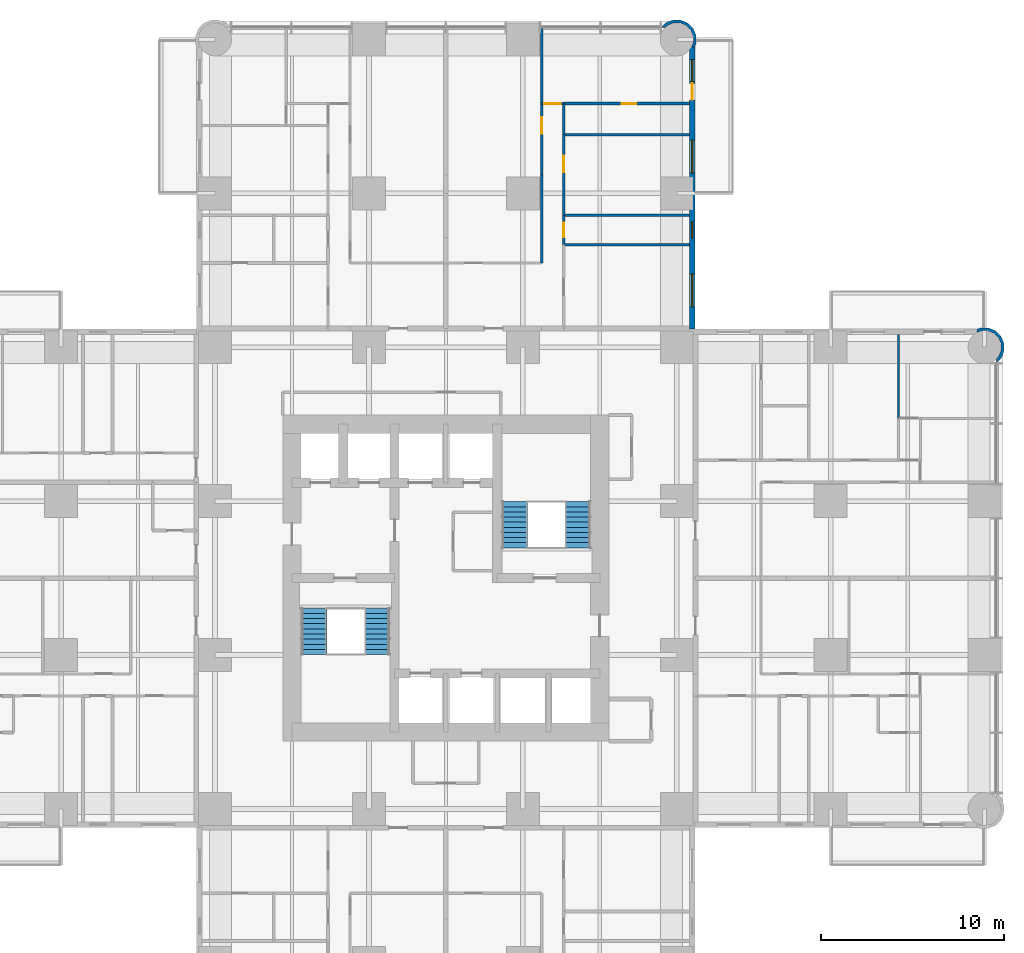
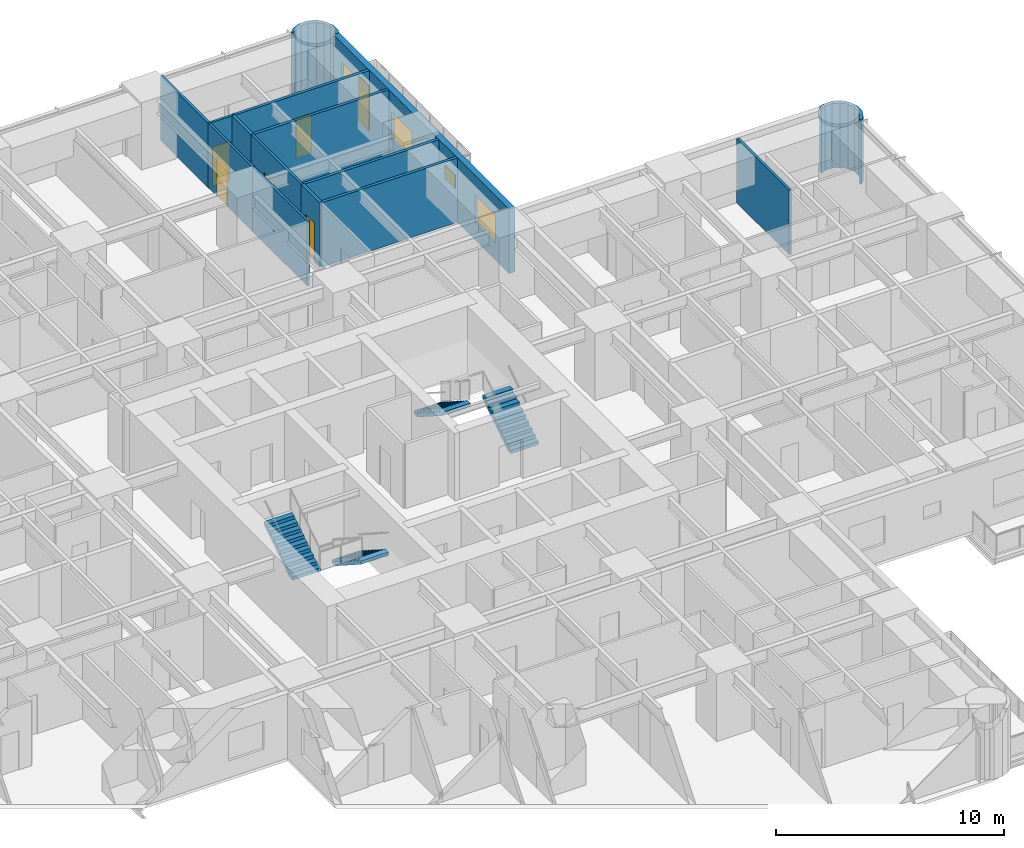
# One storey, part 15 of 17: 15 walls, 6 doors, 4 stair flights, 4 windows, 10 openings, 2 elements without a shape of their own.
"""IFC4 building model written with IfcOpenShell, lengths in metres."""

from ifc_helpers import new_model, si_unit, direction, frame, frame_2d, origin, place, context, subcontext, project, spatial, polyline, rectangle, outline, extrude, material, layer, layer_set, type_object, element, fill, aggregate, save


model = new_model("IFC4")

# Units and contexts
model_context = context("Model", 3, precision=1e-05, world=origin(), true_north=direction((0.0, 1.0)))
body_context = subcontext(model_context, "Body", "Model", "MODEL_VIEW")
ifc_project = project(units=[si_unit("LENGTHUNIT", "METRE"), si_unit("AREAUNIT", "SQUARE_METRE"), si_unit("VOLUMEUNIT", "CUBIC_METRE"), si_unit("PLANEANGLEUNIT", "RADIAN"), si_unit("MASSUNIT", "GRAM", prefix="KILO")], contexts=[model_context])

# Site, building, storey
site_placement = place(None, origin())
site = spatial("IfcSite", under=ifc_project, at=site_placement, CompositionType="ELEMENT")
building_placement = place(site_placement, origin())
building = spatial("IfcBuilding", under=site, at=building_placement, Name="Torre Alcanfor", CompositionType="ELEMENT")
storey_placement = place(building_placement, frame((0.0, 0.0, 41.699951171875)))
storey = spatial("IfcBuildingStorey", under=building, at=storey_placement, Name="L09", CompositionType="ELEMENT", Elevation=41.699951171875)

# Wall
ifc_material_1 = material(Name="Gypsum board on steel studs", Category="steel")
ifc_layer_1 = layer(ifc_material_1, 0.1201171875)
ifc_layer_set_1 = layer_set([ifc_layer_1], Name="Apartment partition 120")
wall_type_1 = type_object("IfcWallType", Name="Apartment partition 120", PredefinedType="PARTITIONING", material=ifc_layer_set_1)
wall_1_placement = place(storey_placement, frame((34.62890625, 51.39990234375, 0.0), z_axis=(0.0, 0.0, 1.0), x_axis=(0.0, -1.0, 0.0)))
element("IfcWall", 1, at=wall_1_placement, inside=storey, type_object=wall_type_1, Name="Partition L09-N2-KITCHEN / L09-N2-HALL", PredefinedType="PARTITIONING", context=body_context, shape_type="SweptSolid", body=[
    extrude(rectangle(XDim=4.7998046875, YDim=0.1201171875, at=frame_2d((2.39990234375, 0.0))), origin(), (0.0, 0.0, 1.0), 3.449951171875),
])

# Wall, opening, door
wall_2_placement = place(storey_placement, frame((34.62890625, 55.300048828125, 0.0), z_axis=(0.0, 0.0, 1.0), x_axis=(0.0, -1.0, 0.0)))
wall_2 = element("IfcWall", 2, at=wall_2_placement, inside=storey, type_object=wall_type_1, Name="Partition L09-N2-LIVING / L09-N2-HALL", PredefinedType="PARTITIONING", context=body_context, shape_type="SweptSolid", body=[
    extrude(rectangle(XDim=3.900146484375, YDim=0.1201171875, at=frame_2d((1.9501953125, 0.0))), origin(), (0.0, 0.0, 1.0), 3.449951171875),
])
opening_1_placement = place(wall_2_placement, frame((0.75, 0.0, 0.0)))
opening_1 = element("IfcOpeningElement", 3, at=opening_1_placement, cuts=wall_2, Name="Opening D-R1", PredefinedType="OPENING", context=body_context, shape_type="SweptSolid", body=[
    extrude(rectangle(XDim=0.89990234375, YDim=2.10009765625, at=frame_2d((0.449951171875, 1.050048828125))), frame((0.0, 0.070068359375, 0.0), z_axis=(0.0, -1.0, 0.0), x_axis=(1.0, 0.0, 0.0)), (0.0, 0.0, 1.0), 0.14013671875),
])
ifc_material_2 = material(Name="Timber", Category="wood")
door_type_1 = type_object("IfcDoorType", Name="Internal door 900x2100", OperationType="SINGLE_SWING_LEFT", PredefinedType="DOOR", material=ifc_material_2)
door_1_placement = place(opening_1_placement, frame((0.89990234375, 0.0, 0.0), z_axis=(0.0, 0.0, 1.0), x_axis=(-1.0, 0.0, 0.0)))
door_1 = element("IfcDoor", 4, at=door_1_placement, inside=storey, type_object=door_type_1, Name="Door L09-N2 living", OperationType="SINGLE_SWING_LEFT", OverallHeight=2.10009765625, OverallWidth=0.89990234375, PredefinedType="DOOR", context=body_context, shape_type="SweptSolid", body=[
    extrude(rectangle(XDim=0.89990234375, YDim=2.10009765625, at=frame_2d((0.449951171875, 1.050048828125))), frame((0.0, 0.025146484375, 0.0), z_axis=(0.0, -1.0, 0.0), x_axis=(1.0, 0.0, 0.0)), (0.0, 0.0, 1.0), 0.050048828125),
])
fill(opening_1, door_1)

# Wall
wall_3_placement = place(storey_placement, frame((34.62890625, 59.449951171875, 0.0), z_axis=(0.0, 0.0, 1.0), x_axis=(0.0, -1.0, 0.0)))
element("IfcWall", 5, at=wall_3_placement, inside=storey, type_object=wall_type_1, Name="Partition L09-N2-LIVING / L09-N2-MASTER", PredefinedType="PARTITIONING", context=body_context, shape_type="SweptSolid", body=[
    extrude(rectangle(XDim=4.14990234375, YDim=0.1201171875, at=frame_2d((2.074951171875, 0.0))), origin(), (0.0, 0.0, 1.0), 3.449951171875),
])

# Wall, opening, door
wall_4_placement = place(storey_placement, frame((35.8291015625, 53.60009765625, 0.0), z_axis=(0.0, 0.0, 1.0), x_axis=(0.0, -1.0, 0.0)))
wall_4 = element("IfcWall", 6, at=wall_4_placement, inside=storey, type_object=wall_type_1, Name="Partition L09-N2-HALL / L09-N2-BED2", PredefinedType="PARTITIONING", context=body_context, shape_type="SweptSolid", body=[
    extrude(rectangle(XDim=4.400146484375, YDim=0.1201171875, at=frame_2d((2.2001953125, 0.0))), origin(), (0.0, 0.0, 1.0), 3.449951171875),
])
opening_2_placement = place(wall_4_placement, frame((1.14990234375, 0.0, 0.0)))
opening_2 = element("IfcOpeningElement", 7, at=opening_2_placement, cuts=wall_4, Name="Opening D-R1", PredefinedType="OPENING", context=body_context, shape_type="SweptSolid", body=[
    extrude(rectangle(XDim=0.89990234375, YDim=2.10009765625, at=frame_2d((0.449951171875, 1.050048828125))), frame((0.0, 0.070068359375, 0.0), z_axis=(0.0, -1.0, 0.0), x_axis=(1.0, 0.0, 0.0)), (0.0, 0.0, 1.0), 0.14013671875),
])
door_2_placement = place(opening_2_placement, origin())
door_2 = element("IfcDoor", 8, at=door_2_placement, inside=storey, type_object=door_type_1, Name="Door L09-N2 bed2", OperationType="SINGLE_SWING_LEFT", OverallHeight=2.10009765625, OverallWidth=0.89990234375, PredefinedType="DOOR", context=body_context, shape_type="SweptSolid", body=[
    extrude(rectangle(XDim=0.89990234375, YDim=2.10009765625, at=frame_2d((0.449951171875, 1.050048828125))), frame((0.0, 0.02490234375, 0.0), z_axis=(0.0, -1.0, 0.0), x_axis=(1.0, 0.0, 0.0)), (0.0, 0.0, 1.0), 0.050048828125),
])
fill(opening_2, door_2)

wall_5_placement = place(storey_placement, frame((34.62890625, 55.300048828125, 0.0), z_axis=(0.0, 0.0, 1.0), x_axis=(1.0, 0.0, 0.0)))
wall_5 = element("IfcWall", 9, at=wall_5_placement, inside=storey, type_object=wall_type_1, Name="Partition L09-N2-HALL / L09-N2-MASTER", PredefinedType="PARTITIONING", context=body_context, shape_type="SweptSolid", body=[
    extrude(rectangle(XDim=1.2001953125, YDim=0.1201171875, at=frame_2d((0.60009765625, 0.0))), origin(), (0.0, 0.0, 1.0), 3.449951171875),
])
opening_3_placement = place(wall_5_placement, frame((0.15087890625, 0.0, 0.0)))
opening_3 = element("IfcOpeningElement", 10, at=opening_3_placement, cuts=wall_5, Name="Opening D-R1", PredefinedType="OPENING", context=body_context, shape_type="SweptSolid", body=[
    extrude(rectangle(XDim=0.89990234375, YDim=2.10009765625, at=frame_2d((0.449951171875, 1.050048828125))), frame((0.0, 0.070068359375, 0.0), z_axis=(0.0, -1.0, 0.0), x_axis=(1.0, 0.0, 0.0)), (0.0, 0.0, 1.0), 0.14013671875),
])
door_3_placement = place(opening_3_placement, origin())
door_3 = element("IfcDoor", 11, at=door_3_placement, inside=storey, type_object=door_type_1, Name="Door L09-N2 master", OperationType="SINGLE_SWING_LEFT", OverallHeight=2.10009765625, OverallWidth=0.89990234375, PredefinedType="DOOR", context=body_context, shape_type="SweptSolid", body=[
    extrude(rectangle(XDim=0.89990234375, YDim=2.10009765625, at=frame_2d((0.449951171875, 1.050048828125))), frame((0.0, 0.02490234375, 0.0), z_axis=(0.0, -1.0, 0.0), x_axis=(1.0, 0.0, 0.0)), (0.0, 0.0, 1.0), 0.050048828125),
])
fill(opening_3, door_3)

# Wall
wall_6_placement = place(storey_placement, frame((54.10009765625, 38.114013671875, 0.0), z_axis=(0.0, 0.0, 1.0), x_axis=(0.0, 1.0, 0.0)))
element("IfcWall", 12, at=wall_6_placement, inside=storey, type_object=wall_type_1, Name="Partition L09-E1-BED3 / L09-E1-MASTER", PredefinedType="PARTITIONING", context=body_context, shape_type="SweptSolid", body=[
    extrude(rectangle(XDim=4.5859375, YDim=0.1201171875, at=frame_2d((2.29296875, 0.0))), origin(), (0.0, 0.0, 1.0), 3.449951171875),
])

# Wall, openings, door, windows
ifc_material_3 = material(Name="Limestone cladding", Category="masonry")
ifc_layer_2 = layer(ifc_material_3, 0.0400390625, Name="Facing")
ifc_material_4 = material(Name="Ventilated air cavity")
ifc_layer_3 = layer(ifc_material_4, 0.02001953125, ventilated=True, Name="Ventilated joint")
ifc_material_5 = material(Name="Mineral wool insulation", Category="insulation")
ifc_layer_4 = layer(ifc_material_5, 0.10009765625, Name="Insulation")
ifc_material_6 = material(Name="Concrete f'c 35 MPa", Category="concrete")
ifc_layer_5 = layer(ifc_material_6, 0.139892578125, Name="Backing")
ifc_layer_set_2 = layer_set([ifc_layer_2, ifc_layer_3, ifc_layer_4, ifc_layer_5], Name="External wall stone-clad 300")
wall_type_2 = type_object("IfcWallType", Name="External wall stone-clad 300", PredefinedType="SOLIDWALL", material=ifc_layer_set_2)
wall_7_placement = place(storey_placement, frame((42.85009765625, 43.0, 0.0), z_axis=(0.0, 0.0, 1.0), x_axis=(0.0, 1.0, 0.0)))
wall_7 = element("IfcWall", 13, at=wall_7_placement, inside=storey, type_object=wall_type_2, Name="External wall L09 10", PredefinedType="SOLIDWALL", context=body_context, shape_type="SweptSolid", body=[
    extrude(rectangle(XDim=15.39990234375, YDim=0.300048828125, at=frame_2d((7.699951171875, 0.0))), origin(), (0.0, 0.0, 1.0), 3.449951171875),
])
opening_4_placement = place(wall_7_placement, frame((1.199951171875, 0.0, 0.89990234375)))
opening_4 = element("IfcOpeningElement", 14, at=opening_4_placement, cuts=wall_7, Name="Opening W2", PredefinedType="OPENING", context=body_context, shape_type="SweptSolid", body=[
    extrude(rectangle(XDim=1.800048828125, YDim=1.5, at=frame_2d((0.89990234375, 0.75))), frame((0.0, 0.159912109375, 0.0), z_axis=(0.0, -1.0, 0.0), x_axis=(1.0, 0.0, 0.0)), (0.0, 0.0, 1.0), 0.320068359375),
])
opening_5_placement = place(wall_7_placement, frame((4.949951171875, 0.0, 1.5)))
opening_5 = element("IfcOpeningElement", 15, at=opening_5_placement, cuts=wall_7, Name="Opening W3", PredefinedType="OPENING", context=body_context, shape_type="SweptSolid", body=[
    extrude(rectangle(XDim=0.89990234375, YDim=0.699951171875, at=frame_2d((0.449951171875, 0.35009765625))), frame((0.0, 0.159912109375, 0.0), z_axis=(0.0, -1.0, 0.0), x_axis=(1.0, 0.0, 0.0)), (0.0, 0.0, 1.0), 0.320068359375),
])
opening_6_placement = place(wall_7_placement, frame((8.5, 0.0, 0.89990234375)))
opening_6 = element("IfcOpeningElement", 16, at=opening_6_placement, cuts=wall_7, Name="Opening W2", PredefinedType="OPENING", context=body_context, shape_type="SweptSolid", body=[
    extrude(rectangle(XDim=1.800048828125, YDim=1.5, at=frame_2d((0.89990234375, 0.75))), frame((0.0, 0.159912109375, 0.0), z_axis=(0.0, -1.0, 0.0), x_axis=(1.0, 0.0, 0.0)), (0.0, 0.0, 1.0), 0.320068359375),
])
opening_7_placement = place(wall_7_placement, frame((12.5, 0.0, 0.0)))
opening_7 = element("IfcOpeningElement", 17, at=opening_7_placement, cuts=wall_7, Name="Opening D-B1", PredefinedType="OPENING", context=body_context, shape_type="SweptSolid", body=[
    extrude(rectangle(XDim=0.89990234375, YDim=2.39990234375, at=frame_2d((0.449951171875, 1.199951171875))), frame((0.0, 0.159912109375, 0.0), z_axis=(0.0, -1.0, 0.0), x_axis=(1.0, 0.0, 0.0)), (0.0, 0.0, 1.0), 0.320068359375),
])
opening_8_placement = place(wall_7_placement, frame((13.5, 0.0, 0.89990234375)))
opening_8 = element("IfcOpeningElement", 18, at=opening_8_placement, cuts=wall_7, Name="Opening W4", PredefinedType="OPENING", context=body_context, shape_type="SweptSolid", body=[
    extrude(rectangle(XDim=1.199951171875, YDim=1.5, at=frame_2d((0.60009765625, 0.75))), frame((0.0, 0.159912109375, 0.0), z_axis=(0.0, -1.0, 0.0), x_axis=(1.0, 0.0, 0.0)), (0.0, 0.0, 1.0), 0.320068359375),
])
ifc_material_7 = material(Name="Aluminium and glass", Category="aluminium")
door_type_2 = type_object("IfcDoorType", Name="Balcony door glazed 900x2400", OperationType="SINGLE_SWING_LEFT", PredefinedType="DOOR", material=ifc_material_7)
door_4_placement = place(opening_7_placement, origin())
door_4 = element("IfcDoor", 19, at=door_4_placement, inside=storey, type_object=door_type_2, Name="Balcony door L09-N2", OperationType="SINGLE_SWING_LEFT", OverallHeight=2.39990234375, OverallWidth=0.89990234375, PredefinedType="DOOR", context=body_context, shape_type="SweptSolid", body=[
    extrude(rectangle(XDim=0.89990234375, YDim=2.39990234375, at=frame_2d((0.449951171875, 1.199951171875))), frame((0.0, 0.02490234375, 0.0), z_axis=(0.0, -1.0, 0.0), x_axis=(1.0, 0.0, 0.0)), (0.0, 0.0, 1.0), 0.050048828125),
])
fill(opening_7, door_4)
ifc_material_8 = material(Name="Aluminium frame with clear double glazing", Category="aluminium")
window_type_1 = type_object("IfcWindowType", Name="Window bathroom 900x700", PartitioningType="SINGLE_PANEL", PredefinedType="WINDOW", material=ifc_material_8)
window_1_placement = place(opening_5_placement, origin())
window_1 = element("IfcWindow", 20, at=window_1_placement, inside=storey, type_object=window_type_1, Name="Window W3 L09-N2", OverallHeight=0.699951171875, OverallWidth=0.89990234375, PartitioningType="SINGLE_PANEL", PredefinedType="WINDOW", context=body_context, shape_type="SweptSolid", body=[
    extrude(rectangle(XDim=0.89990234375, YDim=0.699951171875, at=frame_2d((0.449951171875, 0.35009765625))), frame((0.0, 0.030029296875, 0.0), z_axis=(0.0, -1.0, 0.0), x_axis=(1.0, 0.0, 0.0)), (0.0, 0.0, 1.0), 0.06005859375),
])
fill(opening_5, window_1)
ifc_material_9 = material(Name="Aluminium frame with clear double glazing", Category="aluminium")
window_type_2 = type_object("IfcWindowType", Name="Window bedroom 1200x1500", PartitioningType="SINGLE_PANEL", PredefinedType="WINDOW", material=ifc_material_9)
window_2_placement = place(opening_8_placement, origin())
window_2 = element("IfcWindow", 21, at=window_2_placement, inside=storey, type_object=window_type_2, Name="Window W4 L09-N2", OverallHeight=1.5, OverallWidth=1.199951171875, PartitioningType="SINGLE_PANEL", PredefinedType="WINDOW", context=body_context, shape_type="SweptSolid", body=[
    extrude(rectangle(XDim=1.199951171875, YDim=1.5, at=frame_2d((0.60009765625, 0.75))), frame((0.0, 0.030029296875, 0.0), z_axis=(0.0, -1.0, 0.0), x_axis=(1.0, 0.0, 0.0)), (0.0, 0.0, 1.0), 0.06005859375),
])
fill(opening_8, window_2)
ifc_material_10 = material(Name="Aluminium frame with clear double glazing", Category="aluminium")
window_type_3 = type_object("IfcWindowType", Name="Window bedroom 1800x1500", PartitioningType="SINGLE_PANEL", PredefinedType="WINDOW", material=ifc_material_10)
window_3_placement = place(opening_4_placement, origin())
window_3 = element("IfcWindow", 22, at=window_3_placement, inside=storey, type_object=window_type_3, Name="Window W2 L09-N2", OverallHeight=1.5, OverallWidth=1.800048828125, PartitioningType="SINGLE_PANEL", PredefinedType="WINDOW", context=body_context, shape_type="SweptSolid", body=[
    extrude(rectangle(XDim=1.800048828125, YDim=1.5, at=frame_2d((0.89990234375, 0.75))), frame((0.0, 0.030029296875, 0.0), z_axis=(0.0, -1.0, 0.0), x_axis=(1.0, 0.0, 0.0)), (0.0, 0.0, 1.0), 0.06005859375),
])
fill(opening_4, window_3)
window_4_placement = place(opening_6_placement, origin())
window_4 = element("IfcWindow", 23, at=window_4_placement, inside=storey, type_object=window_type_3, Name="Window W2 L09-N2", OverallHeight=1.5, OverallWidth=1.800048828125, PartitioningType="SINGLE_PANEL", PredefinedType="WINDOW", context=body_context, shape_type="SweptSolid", body=[
    extrude(rectangle(XDim=1.800048828125, YDim=1.5, at=frame_2d((0.89990234375, 0.75))), frame((0.0, 0.030029296875, 0.0), z_axis=(0.0, -1.0, 0.0), x_axis=(1.0, 0.0, 0.0)), (0.0, 0.0, 1.0), 0.06005859375),
])
fill(opening_6, window_4)

# Walls
ifc_layer_6 = layer(ifc_material_3, 0.0400390625, Name="Facing")
ifc_layer_7 = layer(ifc_material_4, 0.02001953125, ventilated=True, Name="Ventilated joint")
ifc_layer_8 = layer(ifc_material_5, 0.10009765625, Name="Insulation")
ifc_layer_9 = layer(ifc_material_6, 0.139892578125, Name="Backing")
ifc_layer_set_3 = layer_set([ifc_layer_6, ifc_layer_7, ifc_layer_8, ifc_layer_9], Name="Rounded corner pier stone-clad 300")
wall_type_3 = type_object("IfcWallType", Name="Rounded corner pier stone-clad 300", PredefinedType="SOLIDWALL", material=ifc_layer_set_3)
wall_8_placement = place(storey_placement, frame((59.410519256, 41.23340608, 0.0), z_axis=(0.0, 0.0, 1.0), x_axis=(0.926129809145, 0.377204953059, 0.0)))
element("IfcWall", 24, at=wall_8_placement, inside=storey, type_object=wall_type_3, Name="Corner pier L09 18", PredefinedType="SOLIDWALL", context=body_context, shape_type="SweptSolid", body=[
    extrude(outline(polyline([(0.6260654471319579, 0.34524919711057256), (0.7850146045978224, 0.7355079985228963), (0.7823098124660501, 1.1573373086599013), (0.6187697625812524, 1.546081906916958), (0.31877691555394516, 1.8425152342918512), (-0.07170799176881437, 2.0015564828107086), (-0.24004949470661174, 2.000526523212158), (-0.2695944713928893, 2.0173049949130335), (-0.36998902843916337, 1.8407134525266757), (-0.10235758996356603, 1.8421635923174307), (0.22956588655630128, 1.7069739265237522), (0.4845024203782949, 1.4552530429107593), (0.6236098424040335, 1.1249645948716174), (0.6257138051575375, 0.7663837026280839), (0.49052413936385914, 0.43446022610821644), (0.23848505878743742, 0.1793896774287799), (0.09020527382959523, 0.11693875386038477), (0.010914877202648991, -0.0777384350249053), (0.02448123182880161, -0.08326389820448342), (0.32940601384662893, 0.045348441136258355), (0.47997135267738844, 0.19755163478368112), (0.49907282709518125, 0.19267151555903828), (0.5076193949673722, 0.22530566424262682), (0.6260654471319579, 0.34524919711057256)])), origin(), (0.0, 0.0, 1.0), 3.449951171875),
])
wall_9_placement = place(storey_placement, frame((42.909907157, 58.436037137, 0.0), z_axis=(0.0, 0.0, 1.0), x_axis=(0.377204953059, 0.926129809145, 0.0)))
element("IfcWall", 25, at=wall_9_placement, inside=storey, type_object=wall_type_3, Name="Corner pier L09 19", PredefinedType="SOLIDWALL", context=body_context, shape_type="SweptSolid", body=[
    extrude(outline(polyline([(0.7691852559267269, 1.7275655888693722), (0.7500837815089341, 1.7226854696447296), (0.5995184426781746, 1.8748886632921522), (0.2945936606603473, 2.0035010026328943), (0.2810273060341947, 1.997975539453316), (0.36031770266114094, 1.803298350568026), (0.5085974876189833, 1.7408474269996308), (0.7606365681954048, 1.4857768783201941), (0.8958262339890831, 1.1538534018003268), (0.8937222712355792, 0.7952725095567933), (0.7546148492098406, 0.46498406151765126), (0.499678315387847, 0.21326317790465843), (0.16775483886797962, 0.07807351211098004), (-0.09987659960761772, 0.07952365190173498), (0.0005179574386563676, -0.09706789048462287), (0.030062934124933945, -0.08028941878374739), (0.19840443706273136, -0.08131937838229769), (0.5888893443854909, 0.07772187013655965), (0.888882191412798, 0.3741551975114527), (1.0524222412975957, 0.7628997957685094), (1.0551270334293679, 1.1847291059055145), (0.8961778759635035, 1.5749879073178383), (0.7777318237989179, 1.6949314401857838), (0.7691852559267269, 1.7275655888693722)])), origin(), (0.0, 0.0, 1.0), 3.449951171875),
])

# Wall, opening, door
ifc_material_11 = material(Name="Cement board on steel studs", Category="steel")
ifc_layer_10 = layer(ifc_material_11, 0.14990234375)
ifc_layer_set_4 = layer_set([ifc_layer_10], Name="Wet area partition 150")
wall_type_4 = type_object("IfcWallType", Name="Wet area partition 150", PredefinedType="PARTITIONING", material=ifc_layer_set_4)
wall_10_placement = place(storey_placement, frame((35.8291015625, 49.199951171875, 0.0), z_axis=(0.0, 0.0, 1.0), x_axis=(0.0, -1.0, 0.0)))
wall_10 = element("IfcWall", 26, at=wall_10_placement, inside=storey, type_object=wall_type_4, Name="Partition L09-N2-HALL / L09-N2-BATH1", PredefinedType="PARTITIONING", context=body_context, shape_type="SweptSolid", body=[
    extrude(rectangle(XDim=1.599853515625, YDim=0.14990234375, at=frame_2d((0.7998046875, 0.0))), origin(), (0.0, 0.0, 1.0), 3.449951171875),
])
opening_9_placement = place(wall_10_placement, frame((0.39990234375, 0.0, 0.0)))
opening_9 = element("IfcOpeningElement", 27, at=opening_9_placement, cuts=wall_10, Name="Opening D-R2", PredefinedType="OPENING", context=body_context, shape_type="SweptSolid", body=[
    extrude(rectangle(XDim=0.800048828125, YDim=2.10009765625, at=frame_2d((0.39990234375, 1.050048828125))), frame((0.0, 0.0849609375, 0.0), z_axis=(0.0, -1.0, 0.0), x_axis=(1.0, 0.0, 0.0)), (0.0, 0.0, 1.0), 0.169921875),
])
ifc_material_12 = material(Name="Timber", Category="wood")
door_type_3 = type_object("IfcDoorType", Name="Bathroom door 800x2100", OperationType="SINGLE_SWING_LEFT", PredefinedType="DOOR", material=ifc_material_12)
door_5_placement = place(opening_9_placement, origin())
door_5 = element("IfcDoor", 28, at=door_5_placement, inside=storey, type_object=door_type_3, Name="Door L09-N2 bath1", OperationType="SINGLE_SWING_LEFT", OverallHeight=2.10009765625, OverallWidth=0.800048828125, PredefinedType="DOOR", context=body_context, shape_type="SweptSolid", body=[
    extrude(rectangle(XDim=0.800048828125, YDim=2.10009765625, at=frame_2d((0.39990234375, 1.050048828125))), frame((0.0, 0.02490234375, 0.0), z_axis=(0.0, -1.0, 0.0), x_axis=(1.0, 0.0, 0.0)), (0.0, 0.0, 1.0), 0.050048828125),
])
fill(opening_9, door_5)

# Walls
wall_11_placement = place(storey_placement, frame((35.8291015625, 55.300048828125, 0.0), z_axis=(0.0, 0.0, 1.0), x_axis=(0.0, -1.0, 0.0)))
element("IfcWall", 29, at=wall_11_placement, inside=storey, type_object=wall_type_4, Name="Partition L09-N2-HALL / L09-N2-ENSBATH", PredefinedType="PARTITIONING", context=body_context, shape_type="SweptSolid", body=[
    extrude(rectangle(XDim=1.699951171875, YDim=0.14990234375, at=frame_2d((0.85009765625, 0.0))), origin(), (0.0, 0.0, 1.0), 3.449951171875),
])
for number, where, z_axis, x_axis, name in (
    (30, (35.8291015625, 47.60009765625, 0.0), (0.0, 0.0, 1.0), (1.0, 0.0, 0.0), "Partition L09-N2-BED3 / L09-N2-BATH1"),
    (31, (35.8291015625, 49.199951171875, 0.0), (0.0, 0.0, 1.0), (1.0, 0.0, 0.0), "Partition L09-N2-BATH1 / L09-N2-BED2"),
    (32, (35.8291015625, 53.60009765625, 0.0), (0.0, 0.0, 1.0), (1.0, 0.0, 0.0), "Partition L09-N2-BED2 / L09-N2-ENSBATH"),
):
    element("IfcWall", number, at=place(storey_placement, frame(where, z_axis=z_axis, x_axis=x_axis)), inside=storey, type_object=wall_type_4, Name=name, PredefinedType="PARTITIONING", context=body_context, shape_type="SweptSolid", body=[
        extrude(rectangle(XDim=6.870849609375, YDim=0.14990234375, at=frame_2d((3.435546875, 0.0))), origin(), (0.0, 0.0, 1.0), 3.449951171875),
    ])

# Wall, opening, door
wall_12_placement = place(storey_placement, frame((35.8291015625, 55.300048828125, 0.0), z_axis=(0.0, 0.0, 1.0), x_axis=(1.0, 0.0, 0.0)))
wall_12 = element("IfcWall", 33, at=wall_12_placement, inside=storey, type_object=wall_type_4, Name="Partition L09-N2-ENSBATH / L09-N2-MASTER", PredefinedType="PARTITIONING", context=body_context, shape_type="SweptSolid", body=[
    extrude(rectangle(XDim=6.870849609375, YDim=0.14990234375, at=frame_2d((3.435546875, 0.0))), origin(), (0.0, 0.0, 1.0), 3.449951171875),
])
opening_10_placement = place(wall_12_placement, frame((3.1708984375, 0.0, 0.0)))
opening_10 = element("IfcOpeningElement", 34, at=opening_10_placement, cuts=wall_12, Name="Opening D-R2", PredefinedType="OPENING", context=body_context, shape_type="SweptSolid", body=[
    extrude(rectangle(XDim=0.800048828125, YDim=2.10009765625, at=frame_2d((0.39990234375, 1.050048828125))), frame((0.0, 0.0849609375, 0.0), z_axis=(0.0, -1.0, 0.0), x_axis=(1.0, 0.0, 0.0)), (0.0, 0.0, 1.0), 0.169921875),
])
door_6_placement = place(opening_10_placement, frame((0.800048828125, 0.0, 0.0), z_axis=(0.0, 0.0, 1.0), x_axis=(-1.0, 0.0, 0.0)))
door_6 = element("IfcDoor", 35, at=door_6_placement, inside=storey, type_object=door_type_3, Name="Door L09-N2 ensbath", OperationType="SINGLE_SWING_LEFT", OverallHeight=2.10009765625, OverallWidth=0.800048828125, PredefinedType="DOOR", context=body_context, shape_type="SweptSolid", body=[
    extrude(rectangle(XDim=0.800048828125, YDim=2.10009765625, at=frame_2d((0.400146484375, 1.050048828125))), frame((0.0, 0.025146484375, 0.0), z_axis=(0.0, -1.0, 0.0), x_axis=(1.0, 0.0, 0.0)), (0.0, 0.0, 1.0), 0.050048828125),
])
fill(opening_10, door_6)

# Stair, stair flights
ifc_material_13 = material(Name="Concrete f'c 35 MPa", Category="concrete")
stair_type_1 = type_object("IfcStairType", Name="Exit stair S1 1400 wide", PredefinedType="HALF_TURN_STAIR", material=ifc_material_13)
stair_1_placement = place(storey_placement, origin())
stair_1 = element("IfcStair", 36, at=stair_1_placement, inside=storey, type_object=stair_type_1, Name="Stair S1 L09 to L10", PredefinedType="HALF_TURN_STAIR")
ifc_material_14 = material(Name="Concrete f'c 35 MPa", Category="concrete")
stair_flight_type = type_object("IfcStairFlightType", Name="Stair flight 1400", PredefinedType="STRAIGHT", material=ifc_material_14)
stair_flight_1_placement = place(storey_placement, frame((25.64990234375, 27.75, 0.0), z_axis=(0.0, 0.0, 1.0), x_axis=(0.0, -1.0, 0.0)))
stair_flight_1 = element("IfcStairFlight", 37, at=stair_flight_1_placement, type_object=stair_flight_type, Name="S1 flight 1", NumberOfRisers=10, NumberOfTreads=9, PredefinedType="STRAIGHT", RiserHeight=0.18, TreadLength=0.28, context=body_context, shape_type="SweptSolid", body=[
    extrude(outline(polyline([(0.0, 0.0), (0.0, 0.179931640625), (0.280029296875, 0.179931640625), (0.280029296875, 0.360107421875), (0.56005859375, 0.360107421875), (0.56005859375, 0.5400390625), (0.840087890625, 0.5400390625), (0.840087890625, 0.719970703125), (1.1201171875, 0.719970703125), (1.1201171875, 0.89990234375), (1.39990234375, 0.89990234375), (1.39990234375, 1.080078125), (1.679931640625, 1.080078125), (1.679931640625, 1.260009765625), (1.9599609375, 1.260009765625), (1.9599609375, 1.43994140625), (2.239990234375, 1.43994140625), (2.239990234375, 1.6201171875), (2.52001953125, 1.6201171875), (2.52001953125, 1.800048828125), (2.52001953125, 1.44189453125), (0.277099609375, 0.0), (0.0, 0.0)])), frame((0.0, 0.699951171875, 0.0), z_axis=(0.0, -1.0, 0.0), x_axis=(1.0, 0.0, 0.0)), (0.0, 0.0, 1.0), 1.39990234375),
])
stair_flight_2_placement = place(storey_placement, frame((22.199951171875, 25.22998046875, 1.800048828125), z_axis=(0.0, 0.0, 1.0), x_axis=(0.0, 1.0, 0.0)))
stair_flight_2 = element("IfcStairFlight", 38, at=stair_flight_2_placement, type_object=stair_flight_type, Name="S1 flight 2", NumberOfRisers=10, NumberOfTreads=9, PredefinedType="STRAIGHT", RiserHeight=0.18, TreadLength=0.28, context=body_context, shape_type="SweptSolid", body=[
    extrude(outline(polyline([(0.0, 0.0), (0.0, 0.179931640625), (0.280029296875, 0.179931640625), (0.280029296875, 0.360107421875), (0.56005859375, 0.360107421875), (0.56005859375, 0.5400390625), (0.840087890625, 0.5400390625), (0.840087890625, 0.719970703125), (1.1201171875, 0.719970703125), (1.1201171875, 0.89990234375), (1.39990234375, 0.89990234375), (1.39990234375, 1.080078125), (1.679931640625, 1.080078125), (1.679931640625, 1.260009765625), (1.9599609375, 1.260009765625), (1.9599609375, 1.43994140625), (2.239990234375, 1.43994140625), (2.239990234375, 1.6201171875), (2.52001953125, 1.6201171875), (2.52001953125, 1.800048828125), (2.52001953125, 1.44189453125), (0.277099609375, 0.0), (0.0, 0.0)])), frame((0.0, 0.699951171875, 0.0), z_axis=(0.0, -1.0, 0.0), x_axis=(1.0, 0.0, 0.0)), (0.0, 0.0, 1.0), 1.39990234375),
])
aggregate(stair_1, [stair_flight_1, stair_flight_2])

ifc_material_15 = material(Name="Concrete f'c 35 MPa", Category="concrete")
stair_type_2 = type_object("IfcStairType", Name="Exit stair S2 1400 wide", PredefinedType="HALF_TURN_STAIR", material=ifc_material_15)
stair_2_placement = place(storey_placement, origin())
stair_2 = element("IfcStair", 39, at=stair_2_placement, inside=storey, type_object=stair_type_2, Name="Stair S2 L09 to L10", PredefinedType="HALF_TURN_STAIR")
stair_flight_3_placement = place(storey_placement, frame((36.60009765625, 31.050048828125, 0.0), z_axis=(0.0, 0.0, 1.0), x_axis=(0.0, 1.0, 0.0)))
stair_flight_3 = element("IfcStairFlight", 40, at=stair_flight_3_placement, type_object=stair_flight_type, Name="S2 flight 1", NumberOfRisers=10, NumberOfTreads=9, PredefinedType="STRAIGHT", RiserHeight=0.18, TreadLength=0.28, context=body_context, shape_type="SweptSolid", body=[
    extrude(outline(polyline([(0.0, 0.0), (0.0, 0.179931640625), (0.280029296875, 0.179931640625), (0.280029296875, 0.360107421875), (0.56005859375, 0.360107421875), (0.56005859375, 0.5400390625), (0.840087890625, 0.5400390625), (0.840087890625, 0.719970703125), (1.1201171875, 0.719970703125), (1.1201171875, 0.89990234375), (1.39990234375, 0.89990234375), (1.39990234375, 1.080078125), (1.679931640625, 1.080078125), (1.679931640625, 1.260009765625), (1.9599609375, 1.260009765625), (1.9599609375, 1.43994140625), (2.239990234375, 1.43994140625), (2.239990234375, 1.6201171875), (2.52001953125, 1.6201171875), (2.52001953125, 1.800048828125), (2.52001953125, 1.44189453125), (0.277099609375, 0.0), (0.0, 0.0)])), frame((0.0, 0.699951171875, 0.0), z_axis=(0.0, -1.0, 0.0), x_axis=(1.0, 0.0, 0.0)), (0.0, 0.0, 1.0), 1.39990234375),
])
stair_flight_4_placement = place(storey_placement, frame((33.14990234375, 33.570068359375, 1.800048828125), z_axis=(0.0, 0.0, 1.0), x_axis=(0.0, -1.0, 0.0)))
stair_flight_4 = element("IfcStairFlight", 41, at=stair_flight_4_placement, type_object=stair_flight_type, Name="S2 flight 2", NumberOfRisers=10, NumberOfTreads=9, PredefinedType="STRAIGHT", RiserHeight=0.18, TreadLength=0.28, context=body_context, shape_type="SweptSolid", body=[
    extrude(outline(polyline([(0.0, 0.0), (0.0, 0.179931640625), (0.280029296875, 0.179931640625), (0.280029296875, 0.360107421875), (0.56005859375, 0.360107421875), (0.56005859375, 0.5400390625), (0.840087890625, 0.5400390625), (0.840087890625, 0.719970703125), (1.1201171875, 0.719970703125), (1.1201171875, 0.89990234375), (1.39990234375, 0.89990234375), (1.39990234375, 1.080078125), (1.679931640625, 1.080078125), (1.679931640625, 1.260009765625), (1.9599609375, 1.260009765625), (1.9599609375, 1.43994140625), (2.239990234375, 1.43994140625), (2.239990234375, 1.6201171875), (2.52001953125, 1.6201171875), (2.52001953125, 1.800048828125), (2.52001953125, 1.44189453125), (0.277099609375, 0.0), (0.0, 0.0)])), frame((0.0, 0.699951171875, 0.0), z_axis=(0.0, -1.0, 0.0), x_axis=(1.0, 0.0, 0.0)), (0.0, 0.0, 1.0), 1.39990234375),
])
aggregate(stair_2, [stair_flight_3, stair_flight_4])

save(model, "model.ifc")
